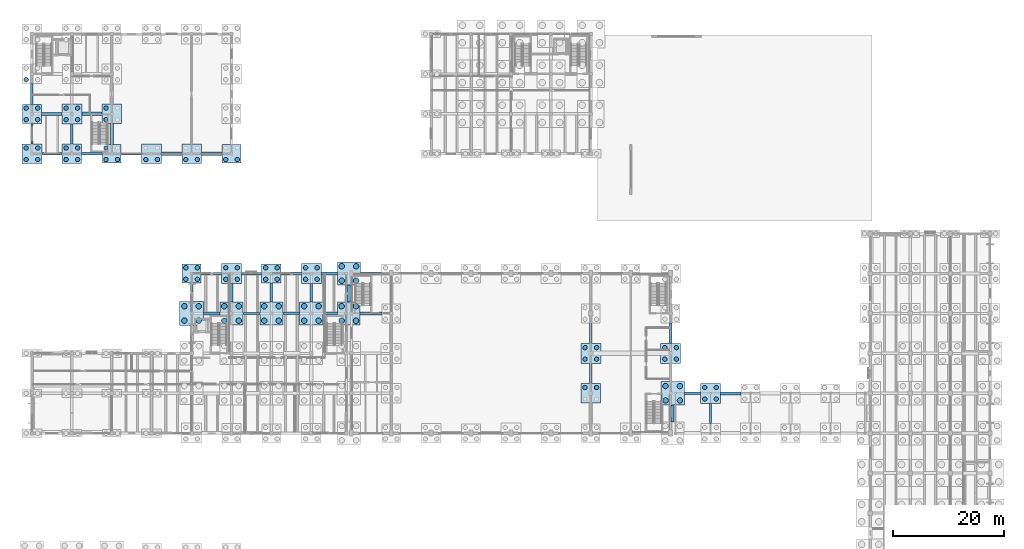
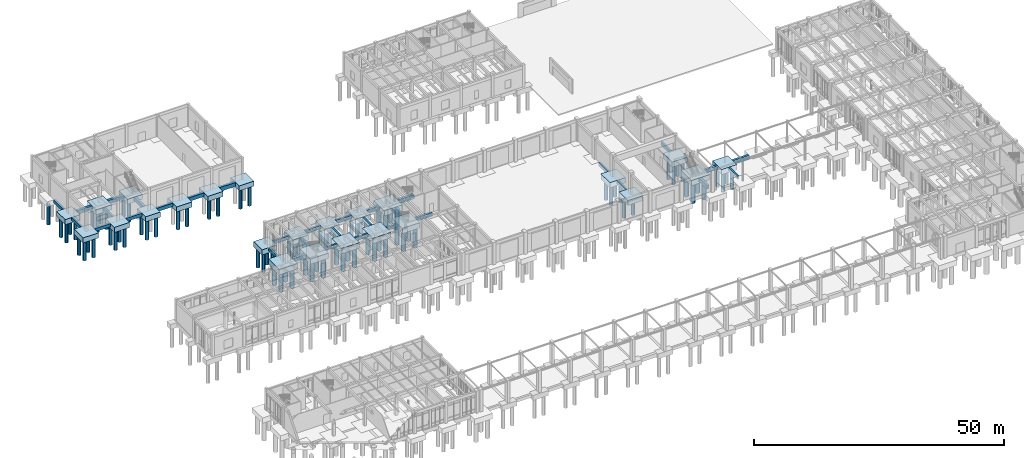
# One storey, part 5 of 93: 86 piles, 57 footings.
"""IFC4 building model written with IfcOpenShell, lengths in metres."""

from ifc_helpers import new_model, si_unit, direction, frame, origin, origin_2d, place, context, subcontext, project, spatial, rectangle, circle, extrude, material, material_profile, profile_set, type_object, element, save


model = new_model("IFC4")

# Units and contexts
model_context = context("Model", 3, precision=1e-05, world=origin(), true_north=direction((0.0, 1.0)))
body_context = subcontext(model_context, "Body", "Model", "MODEL_VIEW")
ifc_project = project(units=[si_unit("LENGTHUNIT", "METRE"), si_unit("AREAUNIT", "SQUARE_METRE"), si_unit("VOLUMEUNIT", "CUBIC_METRE"), si_unit("PLANEANGLEUNIT", "RADIAN"), si_unit("MASSUNIT", "GRAM", prefix="KILO")], contexts=[model_context])

# Site, building, storey
site_placement = place(None, origin())
site = spatial("IfcSite", under=ifc_project, at=site_placement, CompositionType="ELEMENT")
building_placement = place(site_placement, origin())
building = spatial("IfcBuilding", under=site, at=building_placement, Name="Koriwan Promenade Central Fire Station", CompositionType="ELEMENT")
storey_placement = place(building_placement, origin())
storey = spatial("IfcBuildingStorey", under=building, at=storey_placement, Name="L00", CompositionType="ELEMENT", Elevation=0.0)

# Piles
ifc_material = material(Name="Concrete C35/45", Category="concrete")
ifc_material_profile_1 = material_profile(ifc_material, circle(Radius=0.5, at=origin_2d()), Name="PILE-D1000")
ifc_profile_set_1 = profile_set([ifc_material_profile_1], Name="Concrete C35/45")
pile_type_1 = type_object("IfcPileType", Name="BoredPile_1000", PredefinedType="BORED", material=ifc_profile_set_1)
for number, where, z_axis, x_axis, name in (
    (1, (27.5, 63.5, -1.14990234375), (0.0, 0.0, -1.0), (1.0, 0.0, 0.0), "Bored pile PCAP_050-11"),
    (2, (27.5, 66.10009765625, -1.14990234375), (0.0, 0.0, -1.0), (1.0, 0.0, 0.0), "Bored pile PCAP_050-12"),
    (3, (30.10009765625, 63.5, -1.14990234375), (0.0, 0.0, -1.0), (1.0, 0.0, 0.0), "Bored pile PCAP_050-21"),
    (4, (30.10009765625, 66.10009765625, -1.14990234375), (0.0, 0.0, -1.0), (1.0, 0.0, 0.0), "Bored pile PCAP_050-22"),
    (5, (34.699951171875, 63.5, -1.14990234375), (0.0, 0.0, -1.0), (1.0, 0.0, 0.0), "Bored pile PCAP_061-11"),
    (6, (34.699951171875, 66.10009765625, -1.14990234375), (0.0, 0.0, -1.0), (1.0, 0.0, 0.0), "Bored pile PCAP_061-12"),
    (7, (37.300048828125, 63.5, -1.14990234375), (0.0, 0.0, -1.0), (1.0, 0.0, 0.0), "Bored pile PCAP_061-21"),
    (8, (37.300048828125, 66.10009765625, -1.14990234375), (0.0, 0.0, -1.0), (1.0, 0.0, 0.0), "Bored pile PCAP_061-22"),
    (9, (41.89990234375, 63.5, -1.14990234375), (0.0, 0.0, -1.0), (1.0, 0.0, 0.0), "Bored pile PCAP_072-11"),
    (10, (41.89990234375, 66.10009765625, -1.14990234375), (0.0, 0.0, -1.0), (1.0, 0.0, 0.0), "Bored pile PCAP_072-12"),
    (11, (44.5, 63.5, -1.14990234375), (0.0, 0.0, -1.0), (1.0, 0.0, 0.0), "Bored pile PCAP_072-21"),
    (12, (44.5, 66.10009765625, -1.14990234375), (0.0, 0.0, -1.0), (1.0, 0.0, 0.0), "Bored pile PCAP_072-22"),
    (13, (49.10009765625, 63.5, -1.14990234375), (0.0, 0.0, -1.0), (1.0, 0.0, 0.0), "Bored pile PCAP_079-11"),
    (14, (49.10009765625, 66.10009765625, -1.14990234375), (0.0, 0.0, -1.0), (1.0, 0.0, 0.0), "Bored pile PCAP_079-12"),
    (15, (51.699951171875, 63.5, -1.14990234375), (0.0, 0.0, -1.0), (1.0, 0.0, 0.0), "Bored pile PCAP_079-21"),
    (16, (51.699951171875, 66.10009765625, -1.14990234375), (0.0, 0.0, -1.0), (1.0, 0.0, 0.0), "Bored pile PCAP_079-22"),
    (17, (55.85009765625, 63.5, -1.14990234375), (0.0, 0.0, -1.0), (1.0, 0.0, 0.0), "Bored pile PCAP_084-11"),
    (18, (55.85009765625, 66.10009765625, -1.14990234375), (0.0, 0.0, -1.0), (1.0, 0.0, 0.0), "Bored pile PCAP_084-12"),
    (19, (58.449951171875, 63.5, -1.14990234375), (0.0, 0.0, -1.0), (1.0, 0.0, 0.0), "Bored pile PCAP_084-21"),
    (20, (58.449951171875, 66.10009765625, -1.14990234375), (0.0, 0.0, -1.0), (1.0, 0.0, 0.0), "Bored pile PCAP_084-22"),
    (21, (55.875, 70.699951171875, -1.14990234375), (0.0, 0.0, -1.0), (1.0, 0.0, 0.0), "Bored pile PCAP_085-11"),
    (22, (55.875, 73.300048828125, -1.14990234375), (0.0, 0.0, -1.0), (1.0, 0.0, 0.0), "Bored pile PCAP_085-12"),
    (23, (58.47509765625, 70.699951171875, -1.14990234375), (0.0, 0.0, -1.0), (1.0, 0.0, 0.0), "Bored pile PCAP_085-21"),
    (24, (58.47509765625, 73.300048828125, -1.14990234375), (0.0, 0.0, -1.0), (1.0, 0.0, 0.0), "Bored pile PCAP_085-22"),
    (25, (114.27490234375, 49.10009765625, -1.14990234375), (0.0, 0.0, -1.0), (1.0, 0.0, 0.0), "Bored pile PCAP_145-11"),
    (26, (114.27490234375, 51.699951171875, -1.14990234375), (0.0, 0.0, -1.0), (1.0, 0.0, 0.0), "Bored pile PCAP_145-12"),
    (27, (116.875, 49.10009765625, -1.14990234375), (0.0, 0.0, -1.0), (1.0, 0.0, 0.0), "Bored pile PCAP_145-21"),
    (28, (116.875, 51.699951171875, -1.14990234375), (0.0, 0.0, -1.0), (1.0, 0.0, 0.0), "Bored pile PCAP_145-22"),
):
    element("IfcPile", number, at=place(storey_placement, frame(where, z_axis=z_axis, x_axis=x_axis)), inside=storey, type_object=pile_type_1, Name=name, PredefinedType="BORED", context=body_context, shape_type="SweptSolid", body=[
        extrude(circle(Radius=0.5, at=origin_2d()), origin(), (0.0, 0.0, 1.0), 4.89990234375),
    ])
ifc_material_profile_2 = material_profile(ifc_material, circle(Radius=0.39990234375, at=origin_2d()), Name="PILE-D800")
ifc_profile_set_2 = profile_set([ifc_material_profile_2], Name="Concrete C35/45")
pile_type_2 = type_object("IfcPileType", Name="BoredPile_800", PredefinedType="BORED", material=ifc_profile_set_2)
for number, where, z_axis, x_axis, name in (
    (29, (-1.0400390625, 92.56005859375, -1.10009765625), (0.0, 0.0, -1.0), (1.0, 0.0, 0.0), "Bored pile PCAP_008-11"),
    (30, (-1.0400390625, 94.639892578125, -1.10009765625), (0.0, 0.0, -1.0), (1.0, 0.0, 0.0), "Bored pile PCAP_008-12"),
    (31, (1.0400390625, 92.56005859375, -1.10009765625), (0.0, 0.0, -1.0), (1.0, 0.0, 0.0), "Bored pile PCAP_008-21"),
    (32, (1.0400390625, 94.639892578125, -1.10009765625), (0.0, 0.0, -1.0), (1.0, 0.0, 0.0), "Bored pile PCAP_008-22"),
    (33, (-1.0400390625, 99.760009765625, -1.10009765625), (0.0, 0.0, -1.0), (1.0, 0.0, 0.0), "Bored pile PCAP_009-11"),
    (34, (-1.0400390625, 101.840087890625, -1.10009765625), (0.0, 0.0, -1.0), (1.0, 0.0, 0.0), "Bored pile PCAP_009-12"),
    (35, (1.0400390625, 99.760009765625, -1.10009765625), (0.0, 0.0, -1.0), (1.0, 0.0, 0.0), "Bored pile PCAP_009-21"),
    (36, (1.0400390625, 101.840087890625, -1.10009765625), (0.0, 0.0, -1.0), (1.0, 0.0, 0.0), "Bored pile PCAP_009-22"),
    (37, (-1.0400390625, 106.9599609375, -1.10009765625), (0.0, 0.0, -1.0), (1.0, 0.0, 0.0), "Bored pile PCAP_010-11"),
    (38, (6.159912109375, 92.56005859375, -1.10009765625), (0.0, 0.0, -1.0), (1.0, 0.0, 0.0), "Bored pile PCAP_019-11"),
    (39, (6.159912109375, 94.639892578125, -1.10009765625), (0.0, 0.0, -1.0), (1.0, 0.0, 0.0), "Bored pile PCAP_019-12"),
    (40, (8.239990234375, 92.56005859375, -1.10009765625), (0.0, 0.0, -1.0), (1.0, 0.0, 0.0), "Bored pile PCAP_019-21"),
    (41, (8.239990234375, 94.639892578125, -1.10009765625), (0.0, 0.0, -1.0), (1.0, 0.0, 0.0), "Bored pile PCAP_019-22"),
    (42, (6.159912109375, 99.760009765625, -1.10009765625), (0.0, 0.0, -1.0), (1.0, 0.0, 0.0), "Bored pile PCAP_020-11"),
    (43, (6.159912109375, 101.840087890625, -1.10009765625), (0.0, 0.0, -1.0), (1.0, 0.0, 0.0), "Bored pile PCAP_020-12"),
    (44, (8.239990234375, 99.760009765625, -1.10009765625), (0.0, 0.0, -1.0), (1.0, 0.0, 0.0), "Bored pile PCAP_020-21"),
    (45, (8.239990234375, 101.840087890625, -1.10009765625), (0.0, 0.0, -1.0), (1.0, 0.0, 0.0), "Bored pile PCAP_020-22"),
    (46, (13.360107421875, 92.56005859375, -1.10009765625), (0.0, 0.0, -1.0), (1.0, 0.0, 0.0), "Bored pile PCAP_030-11"),
    (47, (13.360107421875, 94.639892578125, -1.10009765625), (0.0, 0.0, -1.0), (1.0, 0.0, 0.0), "Bored pile PCAP_030-12"),
    (48, (15.43994140625, 92.56005859375, -1.10009765625), (0.0, 0.0, -1.0), (1.0, 0.0, 0.0), "Bored pile PCAP_030-21"),
    (49, (13.360107421875, 99.760009765625, -1.10009765625), (0.0, 0.0, -1.0), (1.0, 0.0, 0.0), "Bored pile PCAP_031-11"),
    (50, (13.360107421875, 101.840087890625, -1.10009765625), (0.0, 0.0, -1.0), (1.0, 0.0, 0.0), "Bored pile PCAP_031-12"),
    (51, (20.56005859375, 92.56005859375, -1.10009765625), (0.0, 0.0, -1.0), (1.0, 0.0, 0.0), "Bored pile PCAP_041-11"),
    (52, (22.639892578125, 92.56005859375, -1.10009765625), (0.0, 0.0, -1.0), (1.0, 0.0, 0.0), "Bored pile PCAP_041-21"),
    (53, (27.760009765625, 70.9599609375, -1.10009765625), (0.0, 0.0, -1.0), (1.0, 0.0, 0.0), "Bored pile PCAP_051-11"),
    (54, (27.760009765625, 73.0400390625, -1.10009765625), (0.0, 0.0, -1.0), (1.0, 0.0, 0.0), "Bored pile PCAP_051-12"),
    (55, (29.840087890625, 70.9599609375, -1.10009765625), (0.0, 0.0, -1.0), (1.0, 0.0, 0.0), "Bored pile PCAP_051-21"),
    (56, (29.840087890625, 73.0400390625, -1.10009765625), (0.0, 0.0, -1.0), (1.0, 0.0, 0.0), "Bored pile PCAP_051-22"),
    (57, (27.760009765625, 92.56005859375, -1.10009765625), (0.0, 0.0, -1.0), (1.0, 0.0, 0.0), "Bored pile PCAP_052-11"),
    (58, (29.840087890625, 92.56005859375, -1.10009765625), (0.0, 0.0, -1.0), (1.0, 0.0, 0.0), "Bored pile PCAP_052-21"),
    (59, (34.9599609375, 70.9599609375, -1.10009765625), (0.0, 0.0, -1.0), (1.0, 0.0, 0.0), "Bored pile PCAP_062-11"),
    (60, (34.9599609375, 73.0400390625, -1.10009765625), (0.0, 0.0, -1.0), (1.0, 0.0, 0.0), "Bored pile PCAP_062-12"),
    (61, (37.0400390625, 70.9599609375, -1.10009765625), (0.0, 0.0, -1.0), (1.0, 0.0, 0.0), "Bored pile PCAP_062-21"),
    (62, (37.0400390625, 73.0400390625, -1.10009765625), (0.0, 0.0, -1.0), (1.0, 0.0, 0.0), "Bored pile PCAP_062-22"),
    (63, (34.9599609375, 92.56005859375, -1.10009765625), (0.0, 0.0, -1.0), (1.0, 0.0, 0.0), "Bored pile PCAP_063-11"),
    (64, (37.0400390625, 92.56005859375, -1.10009765625), (0.0, 0.0, -1.0), (1.0, 0.0, 0.0), "Bored pile PCAP_063-21"),
    (65, (42.159912109375, 70.9599609375, -1.10009765625), (0.0, 0.0, -1.0), (1.0, 0.0, 0.0), "Bored pile PCAP_073-11"),
    (66, (42.159912109375, 73.0400390625, -1.10009765625), (0.0, 0.0, -1.0), (1.0, 0.0, 0.0), "Bored pile PCAP_073-12"),
    (67, (44.239990234375, 70.9599609375, -1.10009765625), (0.0, 0.0, -1.0), (1.0, 0.0, 0.0), "Bored pile PCAP_073-21"),
    (68, (44.239990234375, 73.0400390625, -1.10009765625), (0.0, 0.0, -1.0), (1.0, 0.0, 0.0), "Bored pile PCAP_073-22"),
    (69, (49.360107421875, 70.9599609375, -1.10009765625), (0.0, 0.0, -1.0), (1.0, 0.0, 0.0), "Bored pile PCAP_080-11"),
    (70, (49.360107421875, 73.0400390625, -1.10009765625), (0.0, 0.0, -1.0), (1.0, 0.0, 0.0), "Bored pile PCAP_080-12"),
    (71, (51.43994140625, 70.9599609375, -1.10009765625), (0.0, 0.0, -1.0), (1.0, 0.0, 0.0), "Bored pile PCAP_080-21"),
    (72, (51.43994140625, 73.0400390625, -1.10009765625), (0.0, 0.0, -1.0), (1.0, 0.0, 0.0), "Bored pile PCAP_080-22"),
    (73, (99.760009765625, 51.43994140625, -1.10009765625), (0.0, 0.0, -1.0), (1.0, 0.0, 0.0), "Bored pile PCAP_130-12"),
    (74, (101.840087890625, 51.43994140625, -1.10009765625), (0.0, 0.0, -1.0), (1.0, 0.0, 0.0), "Bored pile PCAP_130-22"),
    (75, (99.760009765625, 56.56005859375, -1.10009765625), (0.0, 0.0, -1.0), (1.0, 0.0, 0.0), "Bored pile PCAP_131-11"),
    (76, (99.760009765625, 58.639892578125, -1.10009765625), (0.0, 0.0, -1.0), (1.0, 0.0, 0.0), "Bored pile PCAP_131-12"),
    (77, (101.840087890625, 56.56005859375, -1.10009765625), (0.0, 0.0, -1.0), (1.0, 0.0, 0.0), "Bored pile PCAP_131-21"),
    (78, (101.840087890625, 58.639892578125, -1.10009765625), (0.0, 0.0, -1.0), (1.0, 0.0, 0.0), "Bored pile PCAP_131-22"),
    (79, (114.159912109375, 56.56005859375, -1.10009765625), (0.0, 0.0, -1.0), (1.0, 0.0, 0.0), "Bored pile PCAP_146-11"),
    (80, (114.159912109375, 58.639892578125, -1.10009765625), (0.0, 0.0, -1.0), (1.0, 0.0, 0.0), "Bored pile PCAP_146-12"),
    (81, (116.239990234375, 56.56005859375, -1.10009765625), (0.0, 0.0, -1.0), (1.0, 0.0, 0.0), "Bored pile PCAP_146-21"),
    (82, (116.239990234375, 58.639892578125, -1.10009765625), (0.0, 0.0, -1.0), (1.0, 0.0, 0.0), "Bored pile PCAP_146-22"),
    (83, (121.360107421875, 49.360107421875, -1.10009765625), (0.0, 0.0, -1.0), (1.0, 0.0, 0.0), "Bored pile PCAP_152-11"),
    (84, (121.360107421875, 51.43994140625, -1.10009765625), (0.0, 0.0, -1.0), (1.0, 0.0, 0.0), "Bored pile PCAP_152-12"),
    (85, (123.43994140625, 49.360107421875, -1.10009765625), (0.0, 0.0, -1.0), (1.0, 0.0, 0.0), "Bored pile PCAP_152-21"),
    (86, (123.43994140625, 51.43994140625, -1.10009765625), (0.0, 0.0, -1.0), (1.0, 0.0, 0.0), "Bored pile PCAP_152-22"),
):
    element("IfcPile", number, at=place(storey_placement, frame(where, z_axis=z_axis, x_axis=x_axis)), inside=storey, type_object=pile_type_2, Name=name, PredefinedType="BORED", context=body_context, shape_type="SweptSolid", body=[
        extrude(circle(Radius=0.39990234375, at=origin_2d()), origin(), (0.0, 0.0, 1.0), 4.949951171875),
    ])

# Footings
footing_type_1 = type_object("IfcFootingType", Name="GroundTieBeam_400x700", PredefinedType="FOOTING_BEAM", material=ifc_material)
footing_1_placement = place(storey_placement, frame((39.625, 64.800048828125, -0.7001953125), z_axis=(0.0, 0.0, 1.0), x_axis=(1.0, 0.0, 0.0)))
element("IfcFooting", 87, at=footing_1_placement, inside=storey, type_object=footing_type_1, Name="Seismic tie beam X-126", PredefinedType="FOOTING_BEAM", context=body_context, shape_type="SweptSolid", body=[
    extrude(rectangle(XDim=3.050048828125, YDim=0.39990234375, at=origin_2d()), origin(), (0.0, 0.0, 1.0), 0.699951171875),
])
footing_2_placement = place(storey_placement, frame((0.0, 97.25, -0.7001953125), z_axis=(0.0, 0.0, 1.0), x_axis=(0.0, 1.0, 0.0)))
element("IfcFooting", 88, at=footing_2_placement, inside=storey, type_object=footing_type_1, Name="Seismic tie beam Y-186", PredefinedType="FOOTING_BEAM", context=body_context, shape_type="SweptSolid", body=[
    extrude(rectangle(XDim=3.699951171875, YDim=0.39990234375, at=origin_2d()), origin(), (0.0, 0.0, 1.0), 0.699951171875),
])
footing_3_placement = place(storey_placement, frame((28.800048828125, 68.625, -0.7001953125), z_axis=(0.0, 0.0, 1.0), x_axis=(0.0, 1.0, 0.0)))
element("IfcFooting", 89, at=footing_3_placement, inside=storey, type_object=footing_type_1, Name="Seismic tie beam Y-216", PredefinedType="FOOTING_BEAM", context=body_context, shape_type="SweptSolid", body=[
    extrude(rectangle(XDim=3.35009765625, YDim=0.39990234375, at=origin_2d()), origin(), (0.0, 0.0, 1.0), 0.699951171875),
])
for number, where, z_axis, x_axis, name in (
    (90, (100.800048828125, 53.97509765625, -0.7001953125), (0.0, 0.0, 1.0), (0.0, 1.0, 0.0), "Seismic tie beam Y-264"),
    (91, (122.39990234375, 46.77490234375, -0.7001953125), (0.0, 0.0, 1.0), (0.0, 1.0, 0.0), "Seismic tie beam Y-276"),
):
    element("IfcFooting", number, at=place(storey_placement, frame(where, z_axis=z_axis, x_axis=x_axis)), inside=storey, type_object=footing_type_1, Name=name, PredefinedType="FOOTING_BEAM", context=body_context, shape_type="SweptSolid", body=[
        extrude(rectangle(XDim=3.64990234375, YDim=0.39990234375, at=origin_2d()), origin(), (0.0, 0.0, 1.0), 0.699951171875),
    ])
footing_type_2 = type_object("IfcFootingType", Name="GroundTieBeam_450x750", PredefinedType="FOOTING_BEAM", material=ifc_material)
footing_4_placement = place(storey_placement, frame((46.77490234375, 64.800048828125, -0.75), z_axis=(0.0, 0.0, 1.0), x_axis=(1.0, 0.0, 0.0)))
element("IfcFooting", 92, at=footing_4_placement, inside=storey, type_object=footing_type_2, Name="Seismic tie beam X-127", PredefinedType="FOOTING_BEAM", context=body_context, shape_type="SweptSolid", body=[
    extrude(rectangle(XDim=3.050048828125, YDim=0.449951171875, at=origin_2d()), origin(), (0.0, 0.0, 1.0), 0.75),
])
footing_5_placement = place(storey_placement, frame((32.35009765625, 72.0, -0.75), z_axis=(0.0, 0.0, 1.0), x_axis=(1.0, 0.0, 0.0)))
element("IfcFooting", 93, at=footing_5_placement, inside=storey, type_object=footing_type_2, Name="Seismic tie beam X-133", PredefinedType="FOOTING_BEAM", context=body_context, shape_type="SweptSolid", body=[
    extrude(rectangle(XDim=3.699951171875, YDim=0.449951171875, at=origin_2d()), origin(), (0.0, 0.0, 1.0), 0.75),
])
footing_6_placement = place(storey_placement, frame((3.625, 93.60009765625, -0.75), z_axis=(0.0, 0.0, 1.0), x_axis=(1.0, 0.0, 0.0)))
element("IfcFooting", 94, at=footing_6_placement, inside=storey, type_object=footing_type_2, Name="Seismic tie beam X-151", PredefinedType="FOOTING_BEAM", context=body_context, shape_type="SweptSolid", body=[
    extrude(rectangle(XDim=3.64990234375, YDim=0.449951171875, at=origin_2d()), origin(), (0.0, 0.0, 1.0), 0.75),
])
footing_7_placement = place(storey_placement, frame((0.0, 104.375, -0.75), z_axis=(0.0, 0.0, 1.0), x_axis=(0.0, 1.0, 0.0)))
element("IfcFooting", 95, at=footing_7_placement, inside=storey, type_object=footing_type_2, Name="Seismic tie beam Y-187", PredefinedType="FOOTING_BEAM", context=body_context, shape_type="SweptSolid", body=[
    extrude(rectangle(XDim=3.75, YDim=0.449951171875, at=origin_2d()), origin(), (0.0, 0.0, 1.0), 0.75),
])
footing_8_placement = place(storey_placement, frame((50.39990234375, 68.550048828125, -0.75), z_axis=(0.0, 0.0, 1.0), x_axis=(0.0, 1.0, 0.0)))
element("IfcFooting", 96, at=footing_8_placement, inside=storey, type_object=footing_type_2, Name="Seismic tie beam Y-235", PredefinedType="FOOTING_BEAM", context=body_context, shape_type="SweptSolid", body=[
    extrude(rectangle(XDim=3.300048828125, YDim=0.449951171875, at=origin_2d()), origin(), (0.0, 0.0, 1.0), 0.75),
])
footing_9_placement = place(storey_placement, frame((100.800048828125, 61.25, -0.75), z_axis=(0.0, 0.0, 1.0), x_axis=(0.0, 1.0, 0.0)))
element("IfcFooting", 97, at=footing_9_placement, inside=storey, type_object=footing_type_2, Name="Seismic tie beam Y-265", PredefinedType="FOOTING_BEAM", context=body_context, shape_type="SweptSolid", body=[
    extrude(rectangle(XDim=3.699951171875, YDim=0.449951171875, at=origin_2d()), origin(), (0.0, 0.0, 1.0), 0.75),
])
footing_type_3 = type_object("IfcFootingType", Name="GroundTieBeam_450x800", PredefinedType="FOOTING_BEAM", material=ifc_material)
footing_10_placement = place(storey_placement, frame((53.800048828125, 64.800048828125, -0.7998046875), z_axis=(0.0, 0.0, 1.0), x_axis=(1.0, 0.0, 0.0)))
element("IfcFooting", 98, at=footing_10_placement, inside=storey, type_object=footing_type_3, Name="Seismic tie beam X-128", PredefinedType="FOOTING_BEAM", context=body_context, shape_type="SweptSolid", body=[
    extrude(rectangle(XDim=2.60009765625, YDim=0.449951171875, at=origin_2d()), origin(), (0.0, 0.0, 1.0), 0.800048828125),
])
footing_11_placement = place(storey_placement, frame((39.625, 72.0, -0.7998046875), z_axis=(0.0, 0.0, 1.0), x_axis=(1.0, 0.0, 0.0)))
element("IfcFooting", 99, at=footing_11_placement, inside=storey, type_object=footing_type_3, Name="Seismic tie beam X-134", PredefinedType="FOOTING_BEAM", context=body_context, shape_type="SweptSolid", body=[
    extrude(rectangle(XDim=3.64990234375, YDim=0.449951171875, at=origin_2d()), origin(), (0.0, 0.0, 1.0), 0.800048828125),
])
footing_12_placement = place(storey_placement, frame((10.824951171875, 93.60009765625, -0.7998046875), z_axis=(0.0, 0.0, 1.0), x_axis=(1.0, 0.0, 0.0)))
element("IfcFooting", 100, at=footing_12_placement, inside=storey, type_object=footing_type_3, Name="Seismic tie beam X-152", PredefinedType="FOOTING_BEAM", context=body_context, shape_type="SweptSolid", body=[
    extrude(rectangle(XDim=3.75, YDim=0.449951171875, at=origin_2d()), origin(), (0.0, 0.0, 1.0), 0.800048828125),
])
footing_13_placement = place(storey_placement, frame((7.199951171875, 97.175048828125, -0.7998046875), z_axis=(0.0, 0.0, 1.0), x_axis=(0.0, 1.0, 0.0)))
element("IfcFooting", 101, at=footing_13_placement, inside=storey, type_object=footing_type_3, Name="Seismic tie beam Y-194", PredefinedType="FOOTING_BEAM", context=body_context, shape_type="SweptSolid", body=[
    extrude(rectangle(XDim=3.64990234375, YDim=0.449951171875, at=origin_2d()), origin(), (0.0, 0.0, 1.0), 0.800048828125),
])
footing_14_placement = place(storey_placement, frame((43.199951171875, 68.550048828125, -0.7998046875), z_axis=(0.0, 0.0, 1.0), x_axis=(0.0, 1.0, 0.0)))
element("IfcFooting", 102, at=footing_14_placement, inside=storey, type_object=footing_type_3, Name="Seismic tie beam Y-230", PredefinedType="FOOTING_BEAM", context=body_context, shape_type="SweptSolid", body=[
    extrude(rectangle(XDim=3.39990234375, YDim=0.449951171875, at=origin_2d()), origin(), (0.0, 0.0, 1.0), 0.800048828125),
])
footing_15_placement = place(storey_placement, frame((115.199951171875, 61.25, -0.7998046875), z_axis=(0.0, 0.0, 1.0), x_axis=(0.0, 1.0, 0.0)))
element("IfcFooting", 103, at=footing_15_placement, inside=storey, type_object=footing_type_3, Name="Seismic tie beam Y-272", PredefinedType="FOOTING_BEAM", context=body_context, shape_type="SweptSolid", body=[
    extrude(rectangle(XDim=3.699951171875, YDim=0.449951171875, at=origin_2d()), origin(), (0.0, 0.0, 1.0), 0.800048828125),
])
footing_type_4 = type_object("IfcFootingType", Name="GroundTieBeam_500x850", PredefinedType="FOOTING_BEAM", material=ifc_material)
footing_16_placement = place(storey_placement, frame((119.137451171875, 50.39990234375, -0.85009765625), z_axis=(0.0, 0.0, 1.0), x_axis=(1.0, 0.0, 0.0)))
element("IfcFooting", 104, at=footing_16_placement, inside=storey, type_object=footing_type_4, Name="Seismic tie beam X-105", PredefinedType="FOOTING_BEAM", context=body_context, shape_type="SweptSolid", body=[
    extrude(rectangle(XDim=2.925048828125, YDim=0.5, at=origin_2d()), origin(), (0.0, 0.0, 1.0), 0.85009765625),
])
footing_17_placement = place(storey_placement, frame((61.14990234375, 64.800048828125, -0.85009765625), z_axis=(0.0, 0.0, 1.0), x_axis=(1.0, 0.0, 0.0)))
element("IfcFooting", 105, at=footing_17_placement, inside=storey, type_object=footing_type_4, Name="Seismic tie beam X-129", PredefinedType="FOOTING_BEAM", context=body_context, shape_type="SweptSolid", body=[
    extrude(rectangle(XDim=3.89990234375, YDim=0.5, at=origin_2d()), origin(), (0.0, 0.0, 1.0), 0.85009765625),
])
footing_18_placement = place(storey_placement, frame((46.77490234375, 72.0, -0.85009765625), z_axis=(0.0, 0.0, 1.0), x_axis=(1.0, 0.0, 0.0)))
element("IfcFooting", 106, at=footing_18_placement, inside=storey, type_object=footing_type_4, Name="Seismic tie beam X-135", PredefinedType="FOOTING_BEAM", context=body_context, shape_type="SweptSolid", body=[
    extrude(rectangle(XDim=3.64990234375, YDim=0.5, at=origin_2d()), origin(), (0.0, 0.0, 1.0), 0.85009765625),
])
footing_19_placement = place(storey_placement, frame((17.949951171875, 93.60009765625, -0.85009765625), z_axis=(0.0, 0.0, 1.0), x_axis=(1.0, 0.0, 0.0)))
element("IfcFooting", 107, at=footing_19_placement, inside=storey, type_object=footing_type_4, Name="Seismic tie beam X-153", PredefinedType="FOOTING_BEAM", context=body_context, shape_type="SweptSolid", body=[
    extrude(rectangle(XDim=3.699951171875, YDim=0.5, at=origin_2d()), origin(), (0.0, 0.0, 1.0), 0.85009765625),
])
footing_type_5 = type_object("IfcFootingType", Name="GroundTieBeam_550x900", PredefinedType="FOOTING_BEAM", material=ifc_material)
footing_20_placement = place(storey_placement, frame((126.050048828125, 50.39990234375, -0.89990234375), z_axis=(0.0, 0.0, 1.0), x_axis=(1.0, 0.0, 0.0)))
element("IfcFooting", 108, at=footing_20_placement, inside=storey, type_object=footing_type_5, Name="Seismic tie beam X-106", PredefinedType="FOOTING_BEAM", context=body_context, shape_type="SweptSolid", body=[
    extrude(rectangle(XDim=3.699951171875, YDim=0.550048828125, at=origin_2d()), origin(), (0.0, 0.0, 1.0), 0.89990234375),
])
footing_21_placement = place(storey_placement, frame((53.637451171875, 72.0, -0.89990234375), z_axis=(0.0, 0.0, 1.0), x_axis=(1.0, 0.0, 0.0)))
element("IfcFooting", 109, at=footing_21_placement, inside=storey, type_object=footing_type_5, Name="Seismic tie beam X-136", PredefinedType="FOOTING_BEAM", context=body_context, shape_type="SweptSolid", body=[
    extrude(rectangle(XDim=2.875, YDim=0.550048828125, at=origin_2d()), origin(), (0.0, 0.0, 1.0), 0.89990234375),
])
footing_22_placement = place(storey_placement, frame((25.22509765625, 93.60009765625, -0.89990234375), z_axis=(0.0, 0.0, 1.0), x_axis=(1.0, 0.0, 0.0)))
element("IfcFooting", 110, at=footing_22_placement, inside=storey, type_object=footing_type_5, Name="Seismic tie beam X-154", PredefinedType="FOOTING_BEAM", context=body_context, shape_type="SweptSolid", body=[
    extrude(rectangle(XDim=3.64990234375, YDim=0.550048828125, at=origin_2d()), origin(), (0.0, 0.0, 1.0), 0.89990234375),
])
footing_23_placement = place(storey_placement, frame((3.550048828125, 100.800048828125, -0.89990234375), z_axis=(0.0, 0.0, 1.0), x_axis=(1.0, 0.0, 0.0)))
element("IfcFooting", 111, at=footing_23_placement, inside=storey, type_object=footing_type_5, Name="Seismic tie beam X-160", PredefinedType="FOOTING_BEAM", context=body_context, shape_type="SweptSolid", body=[
    extrude(rectangle(XDim=3.699951171875, YDim=0.550048828125, at=origin_2d()), origin(), (0.0, 0.0, 1.0), 0.89990234375),
])
footing_24_placement = place(storey_placement, frame((14.39990234375, 97.175048828125, -0.89990234375), z_axis=(0.0, 0.0, 1.0), x_axis=(0.0, 1.0, 0.0)))
element("IfcFooting", 112, at=footing_24_placement, inside=storey, type_object=footing_type_5, Name="Seismic tie beam Y-202", PredefinedType="FOOTING_BEAM", context=body_context, shape_type="SweptSolid", body=[
    extrude(rectangle(XDim=3.75, YDim=0.550048828125, at=origin_2d()), origin(), (0.0, 0.0, 1.0), 0.89990234375),
])
footing_25_placement = place(storey_placement, frame((115.5625, 46.77490234375, -0.89990234375), z_axis=(0.0, 0.0, 1.0), x_axis=(0.0, 1.0, 0.0)))
element("IfcFooting", 113, at=footing_25_placement, inside=storey, type_object=footing_type_5, Name="Seismic tie beam Y-274", PredefinedType="FOOTING_BEAM", context=body_context, shape_type="SweptSolid", body=[
    extrude(rectangle(XDim=3.050048828125, YDim=0.550048828125, at=origin_2d()), origin(), (0.0, 0.0, 1.0), 0.89990234375),
])
footing_type_6 = type_object("IfcFootingType", Name="GroundTieBeam_600x950", PredefinedType="FOOTING_BEAM", material=ifc_material)
footing_26_placement = place(storey_placement, frame((32.425048828125, 64.800048828125, -0.9501953125), z_axis=(0.0, 0.0, 1.0), x_axis=(1.0, 0.0, 0.0)))
element("IfcFooting", 114, at=footing_26_placement, inside=storey, type_object=footing_type_6, Name="Seismic tie beam X-125", PredefinedType="FOOTING_BEAM", context=body_context, shape_type="SweptSolid", body=[
    extrude(rectangle(XDim=2.949951171875, YDim=0.60009765625, at=origin_2d()), origin(), (0.0, 0.0, 1.0), 0.949951171875),
])
footing_27_placement = place(storey_placement, frame((61.16259765625, 72.0, -0.9501953125), z_axis=(0.0, 0.0, 1.0), x_axis=(1.0, 0.0, 0.0)))
element("IfcFooting", 115, at=footing_27_placement, inside=storey, type_object=footing_type_6, Name="Seismic tie beam X-137", PredefinedType="FOOTING_BEAM", context=body_context, shape_type="SweptSolid", body=[
    extrude(rectangle(XDim=3.77490234375, YDim=0.60009765625, at=origin_2d()), origin(), (0.0, 0.0, 1.0), 0.949951171875),
])
footing_28_placement = place(storey_placement, frame((32.425048828125, 93.60009765625, -0.9501953125), z_axis=(0.0, 0.0, 1.0), x_axis=(1.0, 0.0, 0.0)))
element("IfcFooting", 116, at=footing_28_placement, inside=storey, type_object=footing_type_6, Name="Seismic tie beam X-155", PredefinedType="FOOTING_BEAM", context=body_context, shape_type="SweptSolid", body=[
    extrude(rectangle(XDim=3.75, YDim=0.60009765625, at=origin_2d()), origin(), (0.0, 0.0, 1.0), 0.949951171875),
])
footing_29_placement = place(storey_placement, frame((10.824951171875, 100.800048828125, -0.9501953125), z_axis=(0.0, 0.0, 1.0), x_axis=(1.0, 0.0, 0.0)))
element("IfcFooting", 117, at=footing_29_placement, inside=storey, type_object=footing_type_6, Name="Seismic tie beam X-161", PredefinedType="FOOTING_BEAM", context=body_context, shape_type="SweptSolid", body=[
    extrude(rectangle(XDim=3.64990234375, YDim=0.60009765625, at=origin_2d()), origin(), (0.0, 0.0, 1.0), 0.949951171875),
])
footing_30_placement = place(storey_placement, frame((36.0, 68.550048828125, -0.9501953125), z_axis=(0.0, 0.0, 1.0), x_axis=(0.0, 1.0, 0.0)))
element("IfcFooting", 118, at=footing_30_placement, inside=storey, type_object=footing_type_6, Name="Seismic tie beam Y-221", PredefinedType="FOOTING_BEAM", context=body_context, shape_type="SweptSolid", body=[
    extrude(rectangle(XDim=3.300048828125, YDim=0.60009765625, at=origin_2d()), origin(), (0.0, 0.0, 1.0), 0.949951171875),
])
footing_31_placement = place(storey_placement, frame((57.16259765625, 68.375, -0.9501953125), z_axis=(0.0, 0.0, 1.0), x_axis=(0.0, 1.0, 0.0)))
element("IfcFooting", 119, at=footing_31_placement, inside=storey, type_object=footing_type_6, Name="Seismic tie beam Y-239", PredefinedType="FOOTING_BEAM", context=body_context, shape_type="SweptSolid", body=[
    extrude(rectangle(XDim=3.050048828125, YDim=0.60009765625, at=origin_2d()), origin(), (0.0, 0.0, 1.0), 0.949951171875),
])
footing_type_7 = type_object("IfcFootingType", Name="PileCap_3400x3400x1250", PredefinedType="PILE_CAP", material=ifc_material)
for number, where, z_axis, x_axis, name in (
    (120, (0.0, 100.800048828125, -1.25), (0.0, 0.0, 1.0), (1.0, 0.0, 0.0), "Pile cap PCAP_009 (3400x3400x1250)"),
    (121, (14.39990234375, 93.60009765625, -1.25), (0.0, 0.0, 1.0), (1.0, 0.0, 0.0), "Pile cap PCAP_030 (3400x3400x1250)"),
    (122, (28.800048828125, 72.0, -1.25), (0.0, 0.0, 1.0), (1.0, 0.0, 0.0), "Pile cap PCAP_051 (3400x3400x1250)"),
    (123, (36.0, 93.60009765625, -1.25), (0.0, 0.0, 1.0), (1.0, 0.0, 0.0), "Pile cap PCAP_063 (3400x3400x1250)"),
):
    element("IfcFooting", number, at=place(storey_placement, frame(where, z_axis=z_axis, x_axis=x_axis)), inside=storey, type_object=footing_type_7, Name=name, PredefinedType="PILE_CAP", context=body_context, shape_type="SweptSolid", body=[
        extrude(rectangle(XDim=3.39990234375, YDim=3.39990234375, at=origin_2d()), origin(), (0.0, 0.0, 1.0), 1.25),
    ])
footing_type_8 = type_object("IfcFootingType", Name="PileCap_3500x3500x1250", PredefinedType="PILE_CAP", material=ifc_material)
for number, where, z_axis, x_axis, name in (
    (124, (7.199951171875, 93.60009765625, -1.25), (0.0, 0.0, 1.0), (1.0, 0.0, 0.0), "Pile cap PCAP_019 (3500x3500x1250)"),
    (125, (14.39990234375, 100.800048828125, -1.25), (0.0, 0.0, 1.0), (1.0, 0.0, 0.0), "Pile cap PCAP_031 (3500x3500x1250)"),
    (126, (28.800048828125, 93.60009765625, -1.25), (0.0, 0.0, 1.0), (1.0, 0.0, 0.0), "Pile cap PCAP_052 (3500x3500x1250)"),
    (127, (43.199951171875, 72.0, -1.25), (0.0, 0.0, 1.0), (1.0, 0.0, 0.0), "Pile cap PCAP_073 (3500x3500x1250)"),
    (128, (100.800048828125, 50.39990234375, -1.25), (0.0, 0.0, 1.0), (1.0, 0.0, 0.0), "Pile cap PCAP_130 (3500x3500x1250)"),
):
    element("IfcFooting", number, at=place(storey_placement, frame(where, z_axis=z_axis, x_axis=x_axis)), inside=storey, type_object=footing_type_8, Name=name, PredefinedType="PILE_CAP", context=body_context, shape_type="SweptSolid", body=[
        extrude(rectangle(XDim=3.5, YDim=3.5, at=origin_2d()), origin(), (0.0, 0.0, 1.0), 1.25),
    ])
footing_type_9 = type_object("IfcFootingType", Name="PileCap_3600x3600x1250", PredefinedType="PILE_CAP", material=ifc_material)
for number, where, z_axis, x_axis, name in (
    (129, (0.0, 93.60009765625, -1.25), (0.0, 0.0, 1.0), (1.0, 0.0, 0.0), "Pile cap PCAP_008 (3600x3600x1250)"),
    (130, (7.199951171875, 100.800048828125, -1.25), (0.0, 0.0, 1.0), (1.0, 0.0, 0.0), "Pile cap PCAP_020 (3600x3600x1250)"),
    (131, (21.60009765625, 93.60009765625, -1.25), (0.0, 0.0, 1.0), (1.0, 0.0, 0.0), "Pile cap PCAP_041 (3600x3600x1250)"),
    (132, (36.0, 72.0, -1.25), (0.0, 0.0, 1.0), (1.0, 0.0, 0.0), "Pile cap PCAP_062 (3600x3600x1250)"),
    (133, (50.39990234375, 72.0, -1.25), (0.0, 0.0, 1.0), (1.0, 0.0, 0.0), "Pile cap PCAP_080 (3600x3600x1250)"),
    (134, (100.800048828125, 57.60009765625, -1.25), (0.0, 0.0, 1.0), (1.0, 0.0, 0.0), "Pile cap PCAP_131 (3600x3600x1250)"),
    (135, (115.199951171875, 57.60009765625, -1.25), (0.0, 0.0, 1.0), (1.0, 0.0, 0.0), "Pile cap PCAP_146 (3600x3600x1250)"),
    (136, (122.39990234375, 50.39990234375, -1.25), (0.0, 0.0, 1.0), (1.0, 0.0, 0.0), "Pile cap PCAP_152 (3600x3600x1250)"),
):
    element("IfcFooting", number, at=place(storey_placement, frame(where, z_axis=z_axis, x_axis=x_axis)), inside=storey, type_object=footing_type_9, Name=name, PredefinedType="PILE_CAP", context=body_context, shape_type="SweptSolid", body=[
        extrude(rectangle(XDim=3.60009765625, YDim=3.60009765625, at=origin_2d()), origin(), (0.0, 0.0, 1.0), 1.25),
    ])
footing_type_10 = type_object("IfcFootingType", Name="PileCap_4100x4100x1300", PredefinedType="PILE_CAP", material=ifc_material)
for number, where, z_axis, x_axis, name in (
    (137, (43.199951171875, 64.800048828125, -1.2998046875), (0.0, 0.0, 1.0), (1.0, 0.0, 0.0), "Pile cap PCAP_072 (4100x4100x1300)"),
    (138, (57.14990234375, 64.800048828125, -1.2998046875), (0.0, 0.0, 1.0), (1.0, 0.0, 0.0), "Pile cap PCAP_084 (4100x4100x1300)"),
):
    element("IfcFooting", number, at=place(storey_placement, frame(where, z_axis=z_axis, x_axis=x_axis)), inside=storey, type_object=footing_type_10, Name=name, PredefinedType="PILE_CAP", context=body_context, shape_type="SweptSolid", body=[
        extrude(rectangle(XDim=4.10009765625, YDim=4.10009765625, at=origin_2d()), origin(), (0.0, 0.0, 1.0), 1.300048828125),
    ])
footing_type_11 = type_object("IfcFootingType", Name="PileCap_4200x4200x1300", PredefinedType="PILE_CAP", material=ifc_material)
for number, where, z_axis, x_axis, name in (
    (139, (36.0, 64.800048828125, -1.2998046875), (0.0, 0.0, 1.0), (1.0, 0.0, 0.0), "Pile cap PCAP_061 (4200x4200x1300)"),
    (140, (50.39990234375, 64.800048828125, -1.2998046875), (0.0, 0.0, 1.0), (1.0, 0.0, 0.0), "Pile cap PCAP_079 (4200x4200x1300)"),
    (141, (57.175048828125, 72.0, -1.2998046875), (0.0, 0.0, 1.0), (1.0, 0.0, 0.0), "Pile cap PCAP_085 (4200x4200x1300)"),
    (142, (115.574951171875, 50.39990234375, -1.2998046875), (0.0, 0.0, 1.0), (1.0, 0.0, 0.0), "Pile cap PCAP_145 (4200x4200x1300)"),
):
    element("IfcFooting", number, at=place(storey_placement, frame(where, z_axis=z_axis, x_axis=x_axis)), inside=storey, type_object=footing_type_11, Name=name, PredefinedType="PILE_CAP", context=body_context, shape_type="SweptSolid", body=[
        extrude(rectangle(XDim=4.199951171875, YDim=4.199951171875, at=origin_2d()), origin(), (0.0, 0.0, 1.0), 1.300048828125),
    ])
footing_type_12 = type_object("IfcFootingType", Name="PileCap_4300x4300x1300", PredefinedType="PILE_CAP", material=ifc_material)
footing_32_placement = place(storey_placement, frame((28.800048828125, 64.800048828125, -1.2998046875), z_axis=(0.0, 0.0, 1.0), x_axis=(1.0, 0.0, 0.0)))
element("IfcFooting", 143, at=footing_32_placement, inside=storey, type_object=footing_type_12, Name="Pile cap PCAP_050 (4300x4300x1300)", PredefinedType="PILE_CAP", context=body_context, shape_type="SweptSolid", body=[
    extrude(rectangle(XDim=4.300048828125, YDim=4.300048828125, at=origin_2d()), origin(), (0.0, 0.0, 1.0), 1.300048828125),
])

save(model, "model.ifc")
